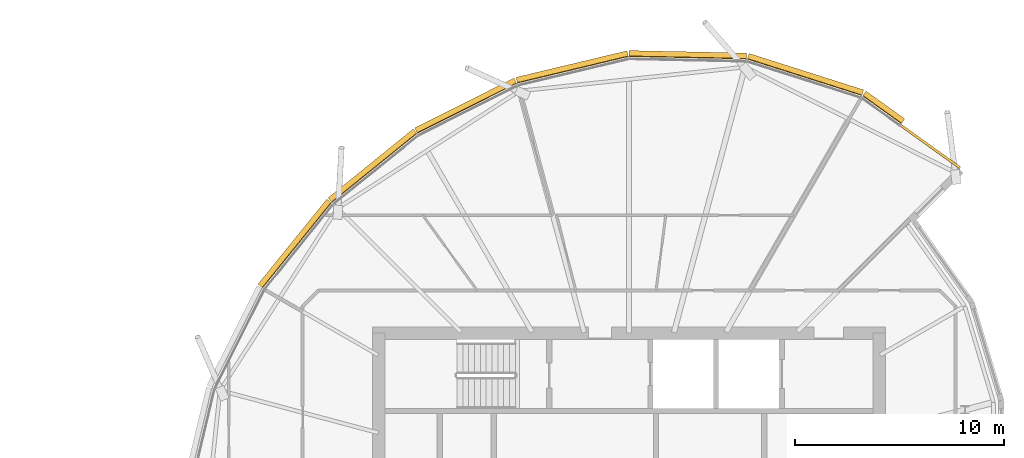
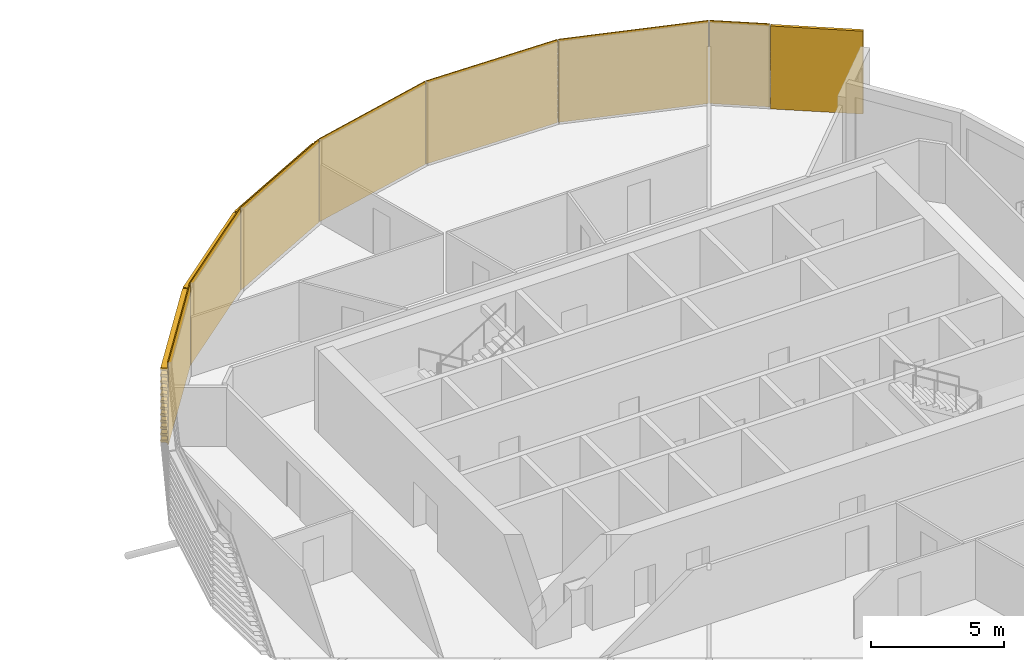
# One storey, part 37 of 37: 8 coverings.
"""IFC4 building model written with IfcOpenShell, lengths in metres."""

from ifc_helpers import new_model, si_unit, direction, frame, origin, place, context, subcontext, project, spatial, polyline, outline, extrude, material, layer, layer_set, material_profile, profile_set, type_object, element, save


model = new_model("IFC4")

# Units and contexts
model_context = context("Model", 3, precision=1e-05, world=origin(), true_north=direction((0.0, 1.0)))
body_context = subcontext(model_context, "Body", "Model", "MODEL_VIEW")
ifc_project = project(units=[si_unit("LENGTHUNIT", "METRE"), si_unit("AREAUNIT", "SQUARE_METRE"), si_unit("VOLUMEUNIT", "CUBIC_METRE"), si_unit("PLANEANGLEUNIT", "RADIAN"), si_unit("MASSUNIT", "GRAM", prefix="KILO")], contexts=[model_context])

# Site, building, storey
site_placement = place(None, origin())
site = spatial("IfcSite", under=ifc_project, at=site_placement, CompositionType="ELEMENT")
building_placement = place(site_placement, origin())
building = spatial("IfcBuilding", under=site, at=building_placement, Name="Rimbun Link Towers", CompositionType="ELEMENT")
storey_placement = place(building_placement, frame((0.0, 0.0, 166.5)))
storey = spatial("IfcBuildingStorey", under=building, at=storey_placement, Name="L40", CompositionType="ELEMENT", Elevation=166.5)

# Coverings
ifc_material_1 = material(Name="Terracotta", Category="masonry")
ifc_layer = layer(ifc_material_1, 0.1201171875)
ifc_layer_set = layer_set([ifc_layer], Name="LINK PIER terracotta cladding 120")
covering_type_1 = type_object("IfcCoveringType", Name="LINK PIER terracotta cladding 120", PredefinedType="CLADDING", material=ifc_layer_set)
covering_1_placement = place(storey_placement, origin())
element("IfcCovering", 1, at=covering_1_placement, inside=storey, type_object=covering_type_1, Name="LINK PIER cladding", PredefinedType="CLADDING", context=body_context, shape_type="SweptSolid", body=[
    extrude(outline(polyline([(44.754638671875, 17.916748046875), (47.59033203125, 15.882080078125), (47.66015625, 15.9794921875), (44.82470703125, 18.01416015625), (44.754638671875, 17.916748046875)])), origin(), (0.0, 0.0, 1.0), 3.800048828125),
])
ifc_material_2 = material(Name="Terracotta", Category="masonry")
ifc_material_profile = material_profile(ifc_material_2, outline(polyline([(0.123046875, 0.0), (0.1630859375, 0.0), (0.1630859375, 0.10009765625), (0.423095703125, 0.10009765625), (0.423095703125, 0.219970703125), (0.1630859375, 0.219970703125), (0.1630859375, 0.39990234375), (0.423095703125, 0.39990234375), (0.423095703125, 0.52001953125), (0.1630859375, 0.52001953125), (0.1630859375, 0.699951171875), (0.423095703125, 0.699951171875), (0.423095703125, 0.820068359375), (0.1630859375, 0.820068359375), (0.1630859375, 1.0), (0.423095703125, 1.0), (0.423095703125, 1.1201171875), (0.1630859375, 1.1201171875), (0.1630859375, 1.300048828125), (0.423095703125, 1.300048828125), (0.423095703125, 1.419921875), (0.1630859375, 1.419921875), (0.1630859375, 1.60009765625), (0.423095703125, 1.60009765625), (0.423095703125, 1.719970703125), (0.1630859375, 1.719970703125), (0.1630859375, 1.89990234375), (0.423095703125, 1.89990234375), (0.423095703125, 2.02001953125), (0.1630859375, 2.02001953125), (0.1630859375, 2.199951171875), (0.423095703125, 2.199951171875), (0.423095703125, 2.320068359375), (0.1630859375, 2.320068359375), (0.1630859375, 2.5), (0.423095703125, 2.5), (0.423095703125, 2.6201171875), (0.1630859375, 2.6201171875), (0.1630859375, 2.800048828125), (0.423095703125, 2.800048828125), (0.423095703125, 2.919921875), (0.1630859375, 2.919921875), (0.1630859375, 3.10009765625), (0.423095703125, 3.10009765625), (0.423095703125, 3.219970703125), (0.1630859375, 3.219970703125), (0.1630859375, 3.39990234375), (0.423095703125, 3.39990234375), (0.423095703125, 3.52001953125), (0.1630859375, 3.52001953125), (0.1630859375, 3.800048828125), (0.123046875, 3.800048828125), (0.123046875, 0.0)])), Name="BAGUETTE 120X300")
ifc_profile_set = profile_set([ifc_material_profile], Name="Terracotta")
covering_type_2 = type_object("IfcCoveringType", Name="TERRACOTTA BAGUETTE 120X300 H3800", PredefinedType="CLADDING", material=ifc_profile_set)
covering_2_placement = place(storey_placement, frame((42.87353515625, 19.2666015625, 0.0), z_axis=(0.812475545308, -0.582995272945, 0.0), x_axis=(0.582995272945, 0.812475545308, 0.0)))
element("IfcCovering", 2, at=covering_2_placement, inside=storey, type_object=covering_type_2, Name="TERRACOTTA BAGUETTE", PredefinedType="CLADDING", context=body_context, shape_type="SweptSolid", body=[
    extrude(outline(polyline([(0.123046875, 0.0), (0.1630859375, 0.0), (0.1630859375, 0.10009765625), (0.423095703125, 0.10009765625), (0.423095703125, 0.219970703125), (0.1630859375, 0.219970703125), (0.1630859375, 0.39990234375), (0.423095703125, 0.39990234375), (0.423095703125, 0.52001953125), (0.1630859375, 0.52001953125), (0.1630859375, 0.699951171875), (0.423095703125, 0.699951171875), (0.423095703125, 0.820068359375), (0.1630859375, 0.820068359375), (0.1630859375, 1.0), (0.423095703125, 1.0), (0.423095703125, 1.1201171875), (0.1630859375, 1.1201171875), (0.1630859375, 1.300048828125), (0.423095703125, 1.300048828125), (0.423095703125, 1.419921875), (0.1630859375, 1.419921875), (0.1630859375, 1.60009765625), (0.423095703125, 1.60009765625), (0.423095703125, 1.719970703125), (0.1630859375, 1.719970703125), (0.1630859375, 1.89990234375), (0.423095703125, 1.89990234375), (0.423095703125, 2.02001953125), (0.1630859375, 2.02001953125), (0.1630859375, 2.199951171875), (0.423095703125, 2.199951171875), (0.423095703125, 2.320068359375), (0.1630859375, 2.320068359375), (0.1630859375, 2.5), (0.423095703125, 2.5), (0.423095703125, 2.6201171875), (0.1630859375, 2.6201171875), (0.1630859375, 2.800048828125), (0.423095703125, 2.800048828125), (0.423095703125, 2.919921875), (0.1630859375, 2.919921875), (0.1630859375, 3.10009765625), (0.423095703125, 3.10009765625), (0.423095703125, 3.219970703125), (0.1630859375, 3.219970703125), (0.1630859375, 3.39990234375), (0.423095703125, 3.39990234375), (0.423095703125, 3.52001953125), (0.1630859375, 3.52001953125), (0.1630859375, 3.800048828125), (0.123046875, 3.800048828125), (0.123046875, 0.0)])), origin(), (0.0, 0.0, 1.0), 2.28515625),
])
covering_3_placement = place(storey_placement, frame((37.380615234375, 21.013671875, 0.0), z_axis=(0.952959706244, -0.303097011328, 0.0), x_axis=(0.303097011328, 0.952959706244, 0.0)))
element("IfcCovering", 3, at=covering_3_placement, inside=storey, type_object=covering_type_2, Name="TERRACOTTA BAGUETTE", PredefinedType="CLADDING", context=body_context, shape_type="SweptSolid", body=[
    extrude(outline(polyline([(0.123046875, 0.0), (0.1630859375, 0.0), (0.1630859375, 0.10009765625), (0.423095703125, 0.10009765625), (0.423095703125, 0.219970703125), (0.1630859375, 0.219970703125), (0.1630859375, 0.39990234375), (0.423095703125, 0.39990234375), (0.423095703125, 0.52001953125), (0.1630859375, 0.52001953125), (0.1630859375, 0.699951171875), (0.423095703125, 0.699951171875), (0.423095703125, 0.820068359375), (0.1630859375, 0.820068359375), (0.1630859375, 1.0), (0.423095703125, 1.0), (0.423095703125, 1.1201171875), (0.1630859375, 1.1201171875), (0.1630859375, 1.300048828125), (0.423095703125, 1.300048828125), (0.423095703125, 1.419921875), (0.1630859375, 1.419921875), (0.1630859375, 1.60009765625), (0.423095703125, 1.60009765625), (0.423095703125, 1.719970703125), (0.1630859375, 1.719970703125), (0.1630859375, 1.89990234375), (0.423095703125, 1.89990234375), (0.423095703125, 2.02001953125), (0.1630859375, 2.02001953125), (0.1630859375, 2.199951171875), (0.423095703125, 2.199951171875), (0.423095703125, 2.320068359375), (0.1630859375, 2.320068359375), (0.1630859375, 2.5), (0.423095703125, 2.5), (0.423095703125, 2.6201171875), (0.1630859375, 2.6201171875), (0.1630859375, 2.800048828125), (0.423095703125, 2.800048828125), (0.423095703125, 2.919921875), (0.1630859375, 2.919921875), (0.1630859375, 3.10009765625), (0.423095703125, 3.10009765625), (0.423095703125, 3.219970703125), (0.1630859375, 3.219970703125), (0.1630859375, 3.39990234375), (0.423095703125, 3.39990234375), (0.423095703125, 3.52001953125), (0.1630859375, 3.52001953125), (0.1630859375, 3.800048828125), (0.123046875, 3.800048828125), (0.123046875, 0.0)])), origin(), (0.0, 0.0, 1.0), 5.76416015625),
])
covering_4_placement = place(storey_placement, frame((31.75, 21.132080078125, 0.0), z_axis=(0.999778956439, -0.021024705974, 0.0), x_axis=(0.021024705974, 0.999778956439, 0.0)))
element("IfcCovering", 4, at=covering_4_placement, inside=storey, type_object=covering_type_2, Name="TERRACOTTA BAGUETTE", PredefinedType="CLADDING", context=body_context, shape_type="SweptSolid", body=[
    extrude(outline(polyline([(0.123046875, 0.0), (0.1630859375, 0.0), (0.1630859375, 0.10009765625), (0.423095703125, 0.10009765625), (0.423095703125, 0.219970703125), (0.1630859375, 0.219970703125), (0.1630859375, 0.39990234375), (0.423095703125, 0.39990234375), (0.423095703125, 0.52001953125), (0.1630859375, 0.52001953125), (0.1630859375, 0.699951171875), (0.423095703125, 0.699951171875), (0.423095703125, 0.820068359375), (0.1630859375, 0.820068359375), (0.1630859375, 1.0), (0.423095703125, 1.0), (0.423095703125, 1.1201171875), (0.1630859375, 1.1201171875), (0.1630859375, 1.300048828125), (0.423095703125, 1.300048828125), (0.423095703125, 1.419921875), (0.1630859375, 1.419921875), (0.1630859375, 1.60009765625), (0.423095703125, 1.60009765625), (0.423095703125, 1.719970703125), (0.1630859375, 1.719970703125), (0.1630859375, 1.89990234375), (0.423095703125, 1.89990234375), (0.423095703125, 2.02001953125), (0.1630859375, 2.02001953125), (0.1630859375, 2.199951171875), (0.423095703125, 2.199951171875), (0.423095703125, 2.320068359375), (0.1630859375, 2.320068359375), (0.1630859375, 2.5), (0.423095703125, 2.5), (0.423095703125, 2.6201171875), (0.1630859375, 2.6201171875), (0.1630859375, 2.800048828125), (0.423095703125, 2.800048828125), (0.423095703125, 2.919921875), (0.1630859375, 2.919921875), (0.1630859375, 3.10009765625), (0.423095703125, 3.10009765625), (0.423095703125, 3.219970703125), (0.1630859375, 3.219970703125), (0.1630859375, 3.39990234375), (0.423095703125, 3.39990234375), (0.423095703125, 3.52001953125), (0.1630859375, 3.52001953125), (0.1630859375, 3.800048828125), (0.123046875, 3.800048828125), (0.123046875, 0.0)])), origin(), (0.0, 0.0, 1.0), 5.6318359375),
])
covering_5_placement = place(storey_placement, frame((26.4287109375, 19.859619140625, 0.0), z_axis=(0.972579769325, 0.232569542931, 0.0), x_axis=(-0.232569542931, 0.972579769325, 0.0)))
element("IfcCovering", 5, at=covering_5_placement, inside=storey, type_object=covering_type_2, Name="TERRACOTTA BAGUETTE", PredefinedType="CLADDING", context=body_context, shape_type="SweptSolid", body=[
    extrude(outline(polyline([(0.123046875, 0.0), (0.1630859375, 0.0), (0.1630859375, 0.10009765625), (0.423095703125, 0.10009765625), (0.423095703125, 0.219970703125), (0.1630859375, 0.219970703125), (0.1630859375, 0.39990234375), (0.423095703125, 0.39990234375), (0.423095703125, 0.52001953125), (0.1630859375, 0.52001953125), (0.1630859375, 0.699951171875), (0.423095703125, 0.699951171875), (0.423095703125, 0.820068359375), (0.1630859375, 0.820068359375), (0.1630859375, 1.0), (0.423095703125, 1.0), (0.423095703125, 1.1201171875), (0.1630859375, 1.1201171875), (0.1630859375, 1.300048828125), (0.423095703125, 1.300048828125), (0.423095703125, 1.419921875), (0.1630859375, 1.419921875), (0.1630859375, 1.60009765625), (0.423095703125, 1.60009765625), (0.423095703125, 1.719970703125), (0.1630859375, 1.719970703125), (0.1630859375, 1.89990234375), (0.423095703125, 1.89990234375), (0.423095703125, 2.02001953125), (0.1630859375, 2.02001953125), (0.1630859375, 2.199951171875), (0.423095703125, 2.199951171875), (0.423095703125, 2.320068359375), (0.1630859375, 2.320068359375), (0.1630859375, 2.5), (0.423095703125, 2.5), (0.423095703125, 2.6201171875), (0.1630859375, 2.6201171875), (0.1630859375, 2.800048828125), (0.423095703125, 2.800048828125), (0.423095703125, 2.919921875), (0.1630859375, 2.919921875), (0.1630859375, 3.10009765625), (0.423095703125, 3.10009765625), (0.423095703125, 3.219970703125), (0.1630859375, 3.219970703125), (0.1630859375, 3.39990234375), (0.423095703125, 3.39990234375), (0.423095703125, 3.52001953125), (0.1630859375, 3.52001953125), (0.1630859375, 3.800048828125), (0.123046875, 3.800048828125), (0.123046875, 0.0)])), origin(), (0.0, 0.0, 1.0), 5.471435546875),
])
covering_6_placement = place(storey_placement, frame((21.665283203125, 17.46728515625, 0.0), z_axis=(0.893628828513, 0.448806770058, 0.0), x_axis=(-0.448806770058, 0.893628828513, 0.0)))
element("IfcCovering", 6, at=covering_6_placement, inside=storey, type_object=covering_type_2, Name="TERRACOTTA BAGUETTE", PredefinedType="CLADDING", context=body_context, shape_type="SweptSolid", body=[
    extrude(outline(polyline([(0.123046875, 0.0), (0.1630859375, 0.0), (0.1630859375, 0.10009765625), (0.423095703125, 0.10009765625), (0.423095703125, 0.219970703125), (0.1630859375, 0.219970703125), (0.1630859375, 0.39990234375), (0.423095703125, 0.39990234375), (0.423095703125, 0.52001953125), (0.1630859375, 0.52001953125), (0.1630859375, 0.699951171875), (0.423095703125, 0.699951171875), (0.423095703125, 0.820068359375), (0.1630859375, 0.820068359375), (0.1630859375, 1.0), (0.423095703125, 1.0), (0.423095703125, 1.1201171875), (0.1630859375, 1.1201171875), (0.1630859375, 1.300048828125), (0.423095703125, 1.300048828125), (0.423095703125, 1.419921875), (0.1630859375, 1.419921875), (0.1630859375, 1.60009765625), (0.423095703125, 1.60009765625), (0.423095703125, 1.719970703125), (0.1630859375, 1.719970703125), (0.1630859375, 1.89990234375), (0.423095703125, 1.89990234375), (0.423095703125, 2.02001953125), (0.1630859375, 2.02001953125), (0.1630859375, 2.199951171875), (0.423095703125, 2.199951171875), (0.423095703125, 2.320068359375), (0.1630859375, 2.320068359375), (0.1630859375, 2.5), (0.423095703125, 2.5), (0.423095703125, 2.6201171875), (0.1630859375, 2.6201171875), (0.1630859375, 2.800048828125), (0.423095703125, 2.800048828125), (0.423095703125, 2.919921875), (0.1630859375, 2.919921875), (0.1630859375, 3.10009765625), (0.423095703125, 3.10009765625), (0.423095703125, 3.219970703125), (0.1630859375, 3.219970703125), (0.1630859375, 3.39990234375), (0.423095703125, 3.39990234375), (0.423095703125, 3.52001953125), (0.1630859375, 3.52001953125), (0.1630859375, 3.800048828125), (0.123046875, 3.800048828125), (0.123046875, 0.0)])), origin(), (0.0, 0.0, 1.0), 5.330322265625),
])
for number, where, z_axis, x_axis, name in (
    (7, (17.585205078125, 14.164794921875, 0.0), (0.777284944692, 0.629148722287, 0.0), (-0.629148722287, 0.777284944692, 0.0), "TERRACOTTA BAGUETTE"),
    (8, (14.28271484375, 10.084716796875, 0.0), (0.629148722287, 0.777284944692, 0.0), (-0.777284944692, 0.629148722287, 0.0), "TERRACOTTA BAGUETTE"),
):
    element("IfcCovering", number, at=place(storey_placement, frame(where, z_axis=z_axis, x_axis=x_axis)), inside=storey, type_object=covering_type_2, Name=name, PredefinedType="CLADDING", context=body_context, shape_type="SweptSolid", body=[
        extrude(outline(polyline([(0.123046875, 0.0), (0.1630859375, 0.0), (0.1630859375, 0.10009765625), (0.423095703125, 0.10009765625), (0.423095703125, 0.219970703125), (0.1630859375, 0.219970703125), (0.1630859375, 0.39990234375), (0.423095703125, 0.39990234375), (0.423095703125, 0.52001953125), (0.1630859375, 0.52001953125), (0.1630859375, 0.699951171875), (0.423095703125, 0.699951171875), (0.423095703125, 0.820068359375), (0.1630859375, 0.820068359375), (0.1630859375, 1.0), (0.423095703125, 1.0), (0.423095703125, 1.1201171875), (0.1630859375, 1.1201171875), (0.1630859375, 1.300048828125), (0.423095703125, 1.300048828125), (0.423095703125, 1.419921875), (0.1630859375, 1.419921875), (0.1630859375, 1.60009765625), (0.423095703125, 1.60009765625), (0.423095703125, 1.719970703125), (0.1630859375, 1.719970703125), (0.1630859375, 1.89990234375), (0.423095703125, 1.89990234375), (0.423095703125, 2.02001953125), (0.1630859375, 2.02001953125), (0.1630859375, 2.199951171875), (0.423095703125, 2.199951171875), (0.423095703125, 2.320068359375), (0.1630859375, 2.320068359375), (0.1630859375, 2.5), (0.423095703125, 2.5), (0.423095703125, 2.6201171875), (0.1630859375, 2.6201171875), (0.1630859375, 2.800048828125), (0.423095703125, 2.800048828125), (0.423095703125, 2.919921875), (0.1630859375, 2.919921875), (0.1630859375, 3.10009765625), (0.423095703125, 3.10009765625), (0.423095703125, 3.219970703125), (0.1630859375, 3.219970703125), (0.1630859375, 3.39990234375), (0.423095703125, 3.39990234375), (0.423095703125, 3.52001953125), (0.1630859375, 3.52001953125), (0.1630859375, 3.800048828125), (0.123046875, 3.800048828125), (0.123046875, 0.0)])), origin(), (0.0, 0.0, 1.0), 5.2490234375),
    ])

save(model, "model.ifc")
